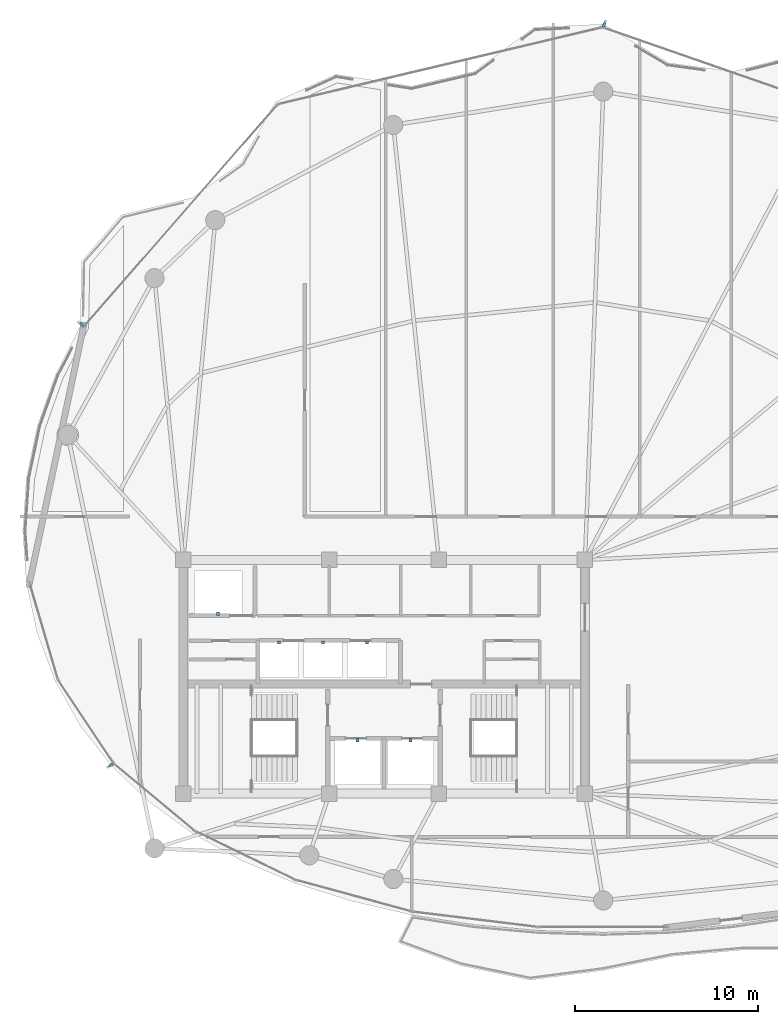
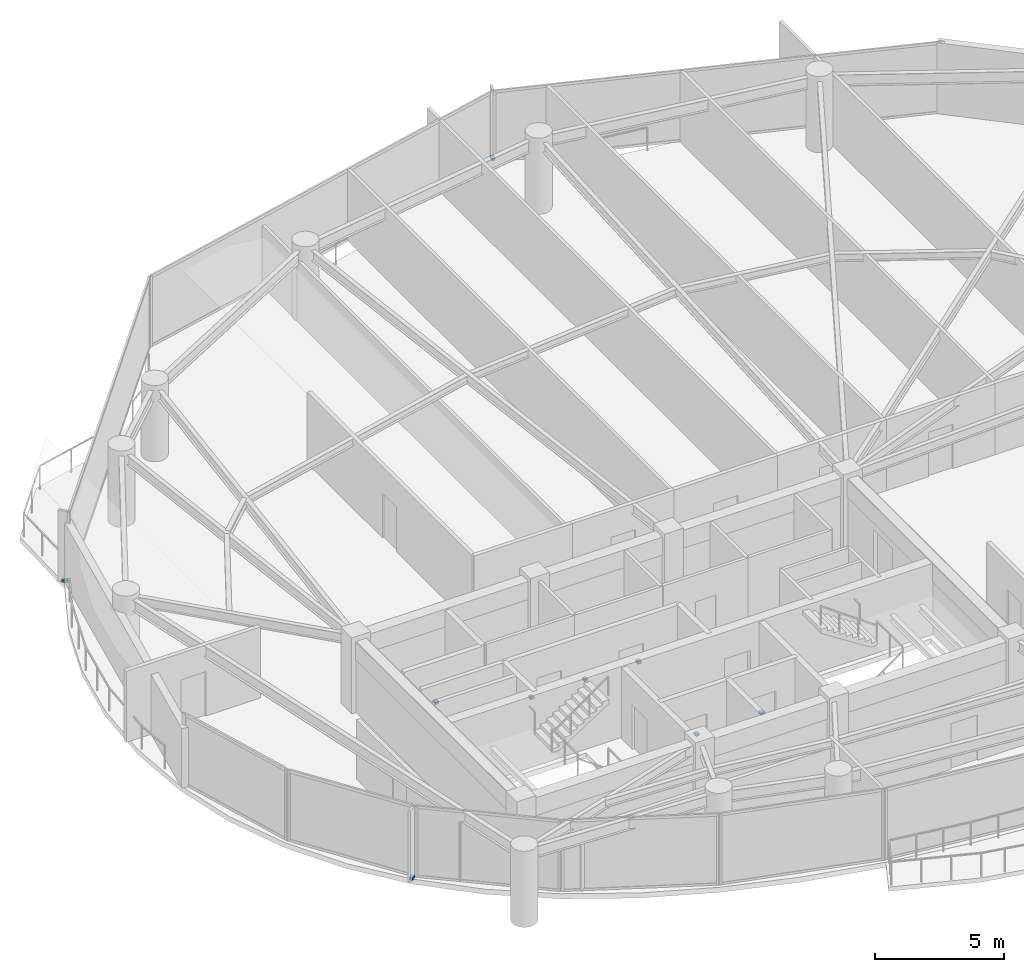
# One storey, part 25 of 28: 9 discrete accessories.
"""IFC4 building model written with IfcOpenShell, lengths in metres."""

from ifc_helpers import new_model, si_unit, direction, frame, origin, origin_2d, place, context, subcontext, project, spatial, rectangle, extrude, material, type_object, element, save


model = new_model("IFC4")

# Units and contexts
model_context = context("Model", 3, precision=1e-05, world=origin(), true_north=direction((0.0, 1.0)))
body_context = subcontext(model_context, "Body", "Model", "MODEL_VIEW")
ifc_project = project(units=[si_unit("LENGTHUNIT", "METRE"), si_unit("AREAUNIT", "SQUARE_METRE"), si_unit("VOLUMEUNIT", "CUBIC_METRE"), si_unit("PLANEANGLEUNIT", "RADIAN"), si_unit("MASSUNIT", "GRAM", prefix="KILO")], contexts=[model_context])

# Site, building, storey
site_placement = place(None, origin())
site = spatial("IfcSite", under=ifc_project, at=site_placement, CompositionType="ELEMENT")
building_placement = place(site_placement, origin())
building = spatial("IfcBuilding", under=site, at=building_placement, Name="Kazevale Care Tower and Concert Hall", CompositionType="ELEMENT")
storey_placement = place(building_placement, frame((0.0, 0.0, 246.0)))
storey = spatial("IfcBuildingStorey", under=building, at=storey_placement, Name="L65", CompositionType="ELEMENT", Elevation=246.0)

# Discrete accessories
ifc_material = material(Name="Stainless Steel 316", Category="steel")
discrete_accessory_type_1 = type_object("IfcDiscreteAccessoryType", Name="Facade Fin Stainless Anchor Bracket BRK-1", PredefinedType="BRACKET", material=ifc_material)
for number, where, z_axis, x_axis, name in (
    (1, (18.04443359375, 25.1689453125, 0.0), (0.0, 0.0, 1.0), (-0.832147748683, -0.554553986878, 0.0), "cw:L65:f11:brk"),
    (2, (16.42626953125, 49.291015625, 0.0), (0.0, 0.0, 1.0), (-0.753792813636, 0.657112162503, 0.0), "cw:L65:f14:brk"),
    (3, (45.047607421875, 65.71533203125, 0.0), (0.0, 0.0, 1.0), (0.328536977169, 0.944491108816, 0.0), "cw:L65:f16:brk"),
):
    element("IfcDiscreteAccessory", number, at=place(storey_placement, frame(where, z_axis=z_axis, x_axis=x_axis)), inside=storey, type_object=discrete_accessory_type_1, Name=name, PredefinedType="BRACKET", context=body_context, shape_type="SweptSolid", body=[
        extrude(rectangle(XDim=0.239990234375, YDim=0.139892578125, at=origin_2d()), origin(), (0.0, 0.0, 1.0), 0.1201171875),
    ])
discrete_accessory_type_2 = type_object("IfcDiscreteAccessoryType", Name="Hoistway Guide-Rail Wall Bracket HBRK-1", PredefinedType="BRACKET", material=ifc_material)
for number, where, z_axis, x_axis, name in (
    (4, (31.550048828125, 26.52001953125, 1.239990234375), (0.0, 0.0, 1.0), (1.0, 0.0, 0.0), "hbrk:FFL-1:L65"),
    (5, (34.449951171875, 26.52001953125, 1.239990234375), (0.0, 0.0, 1.0), (1.0, 0.0, 0.0), "hbrk:FFL-2:L65"),
    (6, (23.89990234375, 33.449951171875, 1.239990234375), (0.0, 0.0, 1.0), (1.0, 0.0, 0.0), "hbrk:SVL-1:L65"),
    (7, (27.25, 31.8798828125, 1.239990234375), (0.0, 0.0, 1.0), (1.0, 0.0, 0.0), "hbrk:PH-1:L65"),
    (8, (29.64990234375, 31.8798828125, 1.239990234375), (0.0, 0.0, 1.0), (1.0, 0.0, 0.0), "hbrk:PH-2:L65"),
    (9, (32.050048828125, 31.8798828125, 1.239990234375), (0.0, 0.0, 1.0), (1.0, 0.0, 0.0), "hbrk:PH-3:L65"),
):
    element("IfcDiscreteAccessory", number, at=place(storey_placement, frame(where, z_axis=z_axis, x_axis=x_axis)), inside=storey, type_object=discrete_accessory_type_2, Name=name, PredefinedType="BRACKET", context=body_context, shape_type="SweptSolid", body=[
        extrude(rectangle(XDim=0.159912109375, YDim=0.179931640625, at=origin_2d()), origin(), (0.0, 0.0, 1.0), 0.1201171875),
    ])

save(model, "model.ifc")
